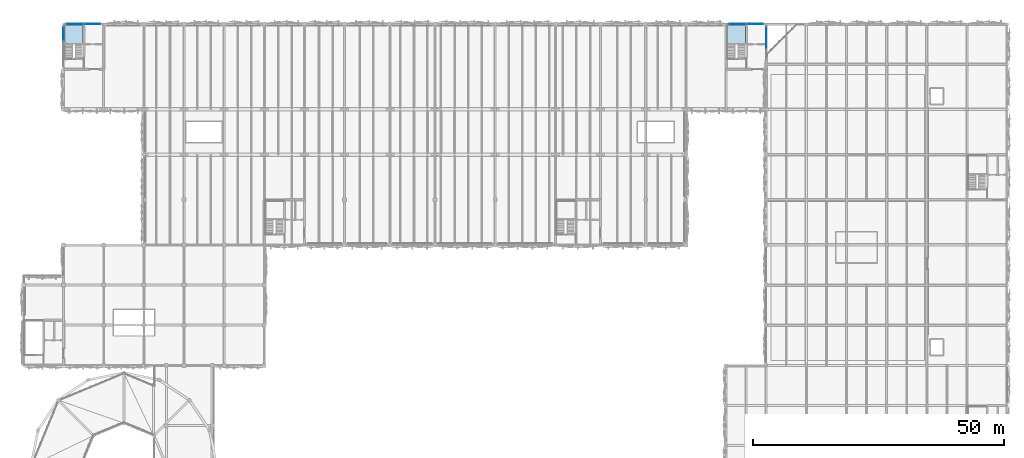
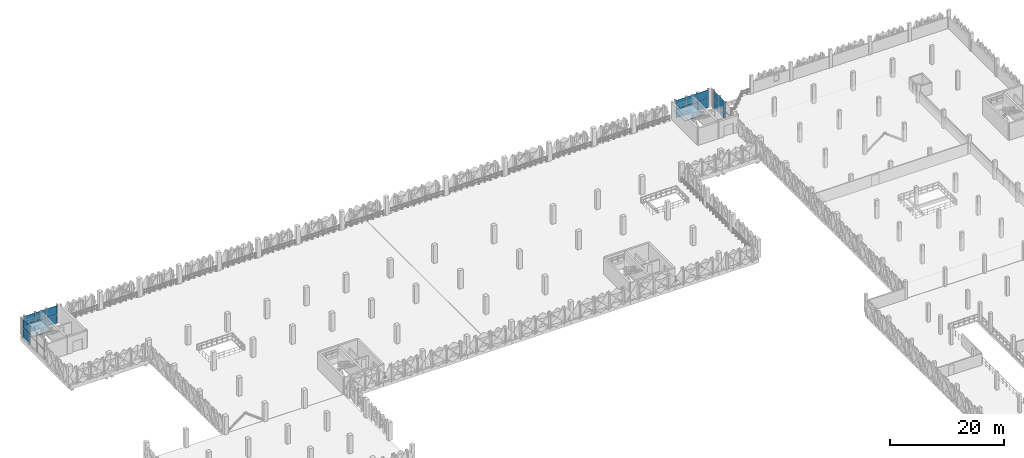
# One storey, part 33 of 83: 18 plates, 2 slabs, 6 elements without a shape of their own.
"""IFC4 building model written with IfcOpenShell, lengths in metres."""

from ifc_helpers import new_model, si_unit, derived_unit, direction, frame, origin, origin_2d, place, context, subcontext, project, spatial, polyline, rectangle, outline, extrude, material, layer, layer_set, type_object, element, aggregate, save


model = new_model("IFC4")

# Units and contexts
model_context = context("Model", 3, precision=1e-05, world=origin(), true_north=direction((0.0, 1.0)))
body_context = subcontext(model_context, "Body", "Model", "MODEL_VIEW")
ifc_project = project(units=[si_unit("LENGTHUNIT", "METRE"), si_unit("AREAUNIT", "SQUARE_METRE"), si_unit("VOLUMEUNIT", "CUBIC_METRE"), si_unit("PLANEANGLEUNIT", "RADIAN"), si_unit("MASSUNIT", "GRAM", prefix="KILO"), si_unit("THERMODYNAMICTEMPERATUREUNIT", "KELVIN"), derived_unit("THERMALTRANSMITTANCEUNIT", [(si_unit("POWERUNIT", "WATT"), 1), (si_unit("AREAUNIT", "SQUARE_METRE"), -1), (si_unit("THERMODYNAMICTEMPERATUREUNIT", "KELVIN"), -1)])], contexts=[model_context])

# Site, building, storey
site_placement = place(None, origin())
site = spatial("IfcSite", under=ifc_project, at=site_placement, CompositionType="ELEMENT")
building_placement = place(site_placement, origin())
building = spatial("IfcBuilding", under=site, at=building_placement, Name="Haiyu Intermodal Mobility Hub", CompositionType="ELEMENT")
storey_placement = place(building_placement, frame((0.0, 0.0, 13.39990234375)))
storey = spatial("IfcBuildingStorey", under=building, at=storey_placement, Name="L03", CompositionType="ELEMENT", Elevation=13.39990234375)

# Curtain wall, plates
ifc_material_1 = material(Name="Low-e laminated insulating glass", Category="glass")
ifc_layer_1 = layer(ifc_material_1, 0.199951171875)
ifc_layer_set_1 = layer_set([ifc_layer_1], Name="Low-e laminated insulating glass")
curtain_wall_type = type_object("IfcCurtainWallType", Name="CW-CW03", PredefinedType="NOTDEFINED", material=ifc_layer_set_1)
curtain_wall_1_placement = place(storey_placement, origin())
curtain_wall_1 = element("IfcCurtainWall", 1, at=curtain_wall_1_placement, inside=storey, type_object=curtain_wall_type, Name="Curtain Wall CW-C3N-L03-055", PredefinedType="NOTDEFINED")
ifc_layer_2 = layer(ifc_material_1, 0.0400390625)
ifc_layer_set_2 = layer_set([ifc_layer_2], Name="Low-e laminated insulating glass")
plate_type_1 = type_object("IfcPlateType", Name="PLT-CP03", PredefinedType="CURTAIN_PANEL", material=ifc_layer_set_2)
plate_1_placement = place(storey_placement, frame((28.22705078125, 148.0, 0.03515625), z_axis=(0.0, 0.0, 1.0), x_axis=(-1.0, 0.0, 0.0)))
plate_1 = element("IfcPlate", 2, at=plate_1_placement, type_object=plate_type_1, Name="CW-C3N-L03-055-PN01", PredefinedType="CURTAIN_PANEL", context=body_context, shape_type="SweptSolid", body=[
    extrude(rectangle(XDim=2.136962890625, YDim=0.0400390625, at=origin_2d()), origin(), (0.0, 0.0, 1.0), 1.840087890625),
])
plate_2_placement = place(storey_placement, frame((26.0, 148.0, 0.03515625), z_axis=(0.0, 0.0, 1.0), x_axis=(-1.0, 0.0, 0.0)))
plate_2 = element("IfcPlate", 3, at=plate_2_placement, type_object=plate_type_1, Name="CW-C3N-L03-055-PN03", PredefinedType="CURTAIN_PANEL", context=body_context, shape_type="SweptSolid", body=[
    extrude(rectangle(XDim=2.136962890625, YDim=0.0400390625, at=origin_2d()), origin(), (0.0, 0.0, 1.0), 1.840087890625),
])
plate_3_placement = place(storey_placement, frame((23.77294921875, 148.0, 0.03515625), z_axis=(0.0, 0.0, 1.0), x_axis=(-1.0, 0.0, 0.0)))
plate_3 = element("IfcPlate", 4, at=plate_3_placement, type_object=plate_type_1, Name="CW-C3N-L03-055-PN05", PredefinedType="CURTAIN_PANEL", context=body_context, shape_type="SweptSolid", body=[
    extrude(rectangle(XDim=2.136962890625, YDim=0.0400390625, at=origin_2d()), origin(), (0.0, 0.0, 1.0), 1.840087890625),
])

# Curtain wall, plate
curtain_wall_2_placement = place(storey_placement, origin())
curtain_wall_2 = element("IfcCurtainWall", 5, at=curtain_wall_2_placement, inside=storey, type_object=curtain_wall_type, Name="Curtain Wall CW-C3S-L03-056", PredefinedType="NOTDEFINED")
plate_4_placement = place(storey_placement, frame((22.0, 146.06005859375, 0.03515625), z_axis=(0.0, 0.0, 1.0), x_axis=(0.0, -1.0, 0.0)))
plate_4 = element("IfcPlate", 6, at=plate_4_placement, type_object=plate_type_1, Name="CW-C3S-L03-056-PN01", PredefinedType="CURTAIN_PANEL", context=body_context, shape_type="SweptSolid", body=[
    extrude(rectangle(XDim=2.469970703125, YDim=0.0400390625, at=origin_2d()), origin(), (0.0, 0.0, 1.0), 1.840087890625),
])

# Curtain wall, plates
curtain_wall_3_placement = place(storey_placement, origin())
curtain_wall_3 = element("IfcCurtainWall", 7, at=curtain_wall_3_placement, inside=storey, type_object=curtain_wall_type, Name="Curtain Wall CW-C4N-L03-069", PredefinedType="NOTDEFINED")
plate_5_placement = place(storey_placement, frame((160.22705078125, 148.0, 0.03515625), z_axis=(0.0, 0.0, 1.0), x_axis=(-1.0, 0.0, 0.0)))
plate_5 = element("IfcPlate", 8, at=plate_5_placement, type_object=plate_type_1, Name="CW-C4N-L03-069-PN01", PredefinedType="CURTAIN_PANEL", context=body_context, shape_type="SweptSolid", body=[
    extrude(rectangle(XDim=2.136962890625, YDim=0.0400390625, at=origin_2d()), origin(), (0.0, 0.0, 1.0), 1.840087890625),
])
plate_6_placement = place(storey_placement, frame((158.0, 148.0, 0.03515625), z_axis=(0.0, 0.0, 1.0), x_axis=(-1.0, 0.0, 0.0)))
plate_6 = element("IfcPlate", 9, at=plate_6_placement, type_object=plate_type_1, Name="CW-C4N-L03-069-PN03", PredefinedType="CURTAIN_PANEL", context=body_context, shape_type="SweptSolid", body=[
    extrude(rectangle(XDim=2.136962890625, YDim=0.0400390625, at=origin_2d()), origin(), (0.0, 0.0, 1.0), 1.840087890625),
])
plate_7_placement = place(storey_placement, frame((155.77294921875, 148.0, 0.03515625), z_axis=(0.0, 0.0, 1.0), x_axis=(-1.0, 0.0, 0.0)))
plate_7 = element("IfcPlate", 10, at=plate_7_placement, type_object=plate_type_1, Name="CW-C4N-L03-069-PN05", PredefinedType="CURTAIN_PANEL", context=body_context, shape_type="SweptSolid", body=[
    extrude(rectangle(XDim=2.136962890625, YDim=0.0400390625, at=origin_2d()), origin(), (0.0, 0.0, 1.0), 1.840087890625),
])

curtain_wall_4_placement = place(storey_placement, origin())
curtain_wall_4 = element("IfcCurtainWall", 11, at=curtain_wall_4_placement, inside=storey, type_object=curtain_wall_type, Name="Curtain Wall CW-C4S-L03-070", PredefinedType="NOTDEFINED")
plate_8_placement = place(storey_placement, frame((162.0, 144.1650390625, 0.03515625), z_axis=(0.0, 0.0, 1.0), x_axis=(0.0, 1.0, 0.0)))
plate_8 = element("IfcPlate", 12, at=plate_8_placement, type_object=plate_type_1, Name="CW-C4S-L03-070-PN03", PredefinedType="CURTAIN_PANEL", context=body_context, shape_type="SweptSolid", body=[
    extrude(rectangle(XDim=2.027099609375, YDim=0.0400390625, at=origin_2d()), origin(), (0.0, 0.0, 1.0), 1.840087890625),
])
plate_9_placement = place(storey_placement, frame((162.0, 146.281982421875, 0.03515625), z_axis=(0.0, 0.0, 1.0), x_axis=(0.0, 1.0, 0.0)))
plate_9 = element("IfcPlate", 13, at=plate_9_placement, type_object=plate_type_1, Name="CW-C4S-L03-070-PN05", PredefinedType="CURTAIN_PANEL", context=body_context, shape_type="SweptSolid", body=[
    extrude(rectangle(XDim=2.027099609375, YDim=0.0400390625, at=origin_2d()), origin(), (0.0, 0.0, 1.0), 1.840087890625),
])

# Plate
ifc_layer_3 = layer(ifc_material_1, 0.0439453125)
ifc_layer_set_3 = layer_set([ifc_layer_3], Name="Low-e laminated insulating glass")
plate_type_2 = type_object("IfcPlateType", Name="PLT-CP04", PredefinedType="CURTAIN_PANEL", material=ifc_layer_set_3)
plate_10_placement = place(storey_placement, frame((28.22705078125, 148.0, 1.94482421875), z_axis=(0.0, 0.0, 1.0), x_axis=(-1.0, 0.0, 0.0)))
plate_10 = element("IfcPlate", 14, at=plate_10_placement, type_object=plate_type_2, Name="CW-C3N-L03-055-PN02", PredefinedType="CURTAIN_PANEL", context=body_context, shape_type="SweptSolid", body=[
    extrude(rectangle(XDim=2.136962890625, YDim=0.0439453125, at=origin_2d()), origin(), (0.0, 0.0, 1.0), 1.840087890625),
])

plate_11_placement = place(storey_placement, frame((26.0, 148.0, 1.94482421875), z_axis=(0.0, 0.0, 1.0), x_axis=(-1.0, 0.0, 0.0)))
plate_11 = element("IfcPlate", 15, at=plate_11_placement, type_object=plate_type_2, Name="CW-C3N-L03-055-PN04", PredefinedType="CURTAIN_PANEL", context=body_context, shape_type="SweptSolid", body=[
    extrude(rectangle(XDim=2.136962890625, YDim=0.0439453125, at=origin_2d()), origin(), (0.0, 0.0, 1.0), 1.840087890625),
])

plate_12_placement = place(storey_placement, frame((23.77294921875, 148.0, 1.94482421875), z_axis=(0.0, 0.0, 1.0), x_axis=(-1.0, 0.0, 0.0)))
plate_12 = element("IfcPlate", 16, at=plate_12_placement, type_object=plate_type_2, Name="CW-C3N-L03-055-PN06", PredefinedType="CURTAIN_PANEL", context=body_context, shape_type="SweptSolid", body=[
    extrude(rectangle(XDim=2.136962890625, YDim=0.0439453125, at=origin_2d()), origin(), (0.0, 0.0, 1.0), 1.840087890625),
])

aggregate(curtain_wall_1, [plate_1, plate_10, plate_2, plate_11, plate_3, plate_12])

plate_13_placement = place(storey_placement, frame((22.0, 146.06005859375, 1.94482421875), z_axis=(0.0, 0.0, 1.0), x_axis=(0.0, -1.0, 0.0)))
plate_13 = element("IfcPlate", 17, at=plate_13_placement, type_object=plate_type_2, Name="CW-C3S-L03-056-PN02", PredefinedType="CURTAIN_PANEL", context=body_context, shape_type="SweptSolid", body=[
    extrude(rectangle(XDim=2.469970703125, YDim=0.0439453125, at=origin_2d()), origin(), (0.0, 0.0, 1.0), 1.840087890625),
])

aggregate(curtain_wall_2, [plate_4, plate_13])

plate_14_placement = place(storey_placement, frame((160.22705078125, 148.0, 1.94482421875), z_axis=(0.0, 0.0, 1.0), x_axis=(-1.0, 0.0, 0.0)))
plate_14 = element("IfcPlate", 18, at=plate_14_placement, type_object=plate_type_2, Name="CW-C4N-L03-069-PN02", PredefinedType="CURTAIN_PANEL", context=body_context, shape_type="SweptSolid", body=[
    extrude(rectangle(XDim=2.136962890625, YDim=0.0439453125, at=origin_2d()), origin(), (0.0, 0.0, 1.0), 1.840087890625),
])

plate_15_placement = place(storey_placement, frame((158.0, 148.0, 1.94482421875), z_axis=(0.0, 0.0, 1.0), x_axis=(-1.0, 0.0, 0.0)))
plate_15 = element("IfcPlate", 19, at=plate_15_placement, type_object=plate_type_2, Name="CW-C4N-L03-069-PN04", PredefinedType="CURTAIN_PANEL", context=body_context, shape_type="SweptSolid", body=[
    extrude(rectangle(XDim=2.136962890625, YDim=0.0439453125, at=origin_2d()), origin(), (0.0, 0.0, 1.0), 1.840087890625),
])

plate_16_placement = place(storey_placement, frame((155.77294921875, 148.0, 1.94482421875), z_axis=(0.0, 0.0, 1.0), x_axis=(-1.0, 0.0, 0.0)))
plate_16 = element("IfcPlate", 20, at=plate_16_placement, type_object=plate_type_2, Name="CW-C4N-L03-069-PN06", PredefinedType="CURTAIN_PANEL", context=body_context, shape_type="SweptSolid", body=[
    extrude(rectangle(XDim=2.136962890625, YDim=0.0439453125, at=origin_2d()), origin(), (0.0, 0.0, 1.0), 1.840087890625),
])

aggregate(curtain_wall_3, [plate_5, plate_14, plate_6, plate_15, plate_7, plate_16])

plate_17_placement = place(storey_placement, frame((162.0, 144.1650390625, 1.94482421875), z_axis=(0.0, 0.0, 1.0), x_axis=(0.0, 1.0, 0.0)))
plate_17 = element("IfcPlate", 21, at=plate_17_placement, type_object=plate_type_2, Name="CW-C4S-L03-070-PN04", PredefinedType="CURTAIN_PANEL", context=body_context, shape_type="SweptSolid", body=[
    extrude(rectangle(XDim=2.027099609375, YDim=0.0439453125, at=origin_2d()), origin(), (0.0, 0.0, 1.0), 1.840087890625),
])

plate_18_placement = place(storey_placement, frame((162.0, 146.281982421875, 1.94482421875), z_axis=(0.0, 0.0, 1.0), x_axis=(0.0, 1.0, 0.0)))
plate_18 = element("IfcPlate", 22, at=plate_18_placement, type_object=plate_type_2, Name="CW-C4S-L03-070-PN06", PredefinedType="CURTAIN_PANEL", context=body_context, shape_type="SweptSolid", body=[
    extrude(rectangle(XDim=2.027099609375, YDim=0.0439453125, at=origin_2d()), origin(), (0.0, 0.0, 1.0), 1.840087890625),
])

aggregate(curtain_wall_4, [plate_8, plate_17, plate_9, plate_18])

# Stair, slab
ifc_material_2 = material(Name="Concrete C40", Category="concrete")
stair_type = type_object("IfcStairType", Name="STR-ST03", PredefinedType="HALF_TURN_STAIR", material=ifc_material_2)
stair_1_placement = place(storey_placement, origin())
stair_1 = element("IfcStair", 23, at=stair_1_placement, inside=storey, type_object=stair_type, Name="Exit Stair ST02 L03", PredefinedType="HALF_TURN_STAIR")
ifc_layer_4 = layer(ifc_material_2, 0.2099609375)
ifc_layer_set_4 = layer_set([ifc_layer_4], Name="Concrete C40")
slab_type = type_object("IfcSlabType", Name="SLB-SL13", PredefinedType="LANDING", material=ifc_layer_set_4)
slab_1_placement = place(storey_placement, frame((0.0, 0.0, 1.739990234375)))
slab_1 = element("IfcSlab", 24, at=slab_1_placement, type_object=slab_type, Name="Stair Half-Landing STR-C3-L03-LND", PredefinedType="LANDING", context=body_context, shape_type="SweptSolid", body=[
    extrude(outline(polyline([(22.219970703125, 144.1298828125), (25.8701171875, 144.1298828125), (25.8701171875, 147.780029296875), (22.219970703125, 147.780029296875), (22.219970703125, 144.1298828125)])), origin(), (0.0, 0.0, 1.0), 0.210205078125),
])
aggregate(stair_1, [slab_1])

stair_2_placement = place(storey_placement, origin())
stair_2 = element("IfcStair", 25, at=stair_2_placement, inside=storey, type_object=stair_type, Name="Exit Stair ST02 L03", PredefinedType="HALF_TURN_STAIR")
slab_2_placement = place(storey_placement, frame((0.0, 0.0, 1.739990234375)))
slab_2 = element("IfcSlab", 26, at=slab_2_placement, type_object=slab_type, Name="Stair Half-Landing STR-C4-L03-LND", PredefinedType="LANDING", context=body_context, shape_type="SweptSolid", body=[
    extrude(outline(polyline([(154.219970703125, 144.1298828125), (157.8701171875, 144.1298828125), (157.8701171875, 147.780029296875), (154.219970703125, 147.780029296875), (154.219970703125, 144.1298828125)])), origin(), (0.0, 0.0, 1.0), 0.210205078125),
])
aggregate(stair_2, [slab_2])

save(model, "model.ifc")
